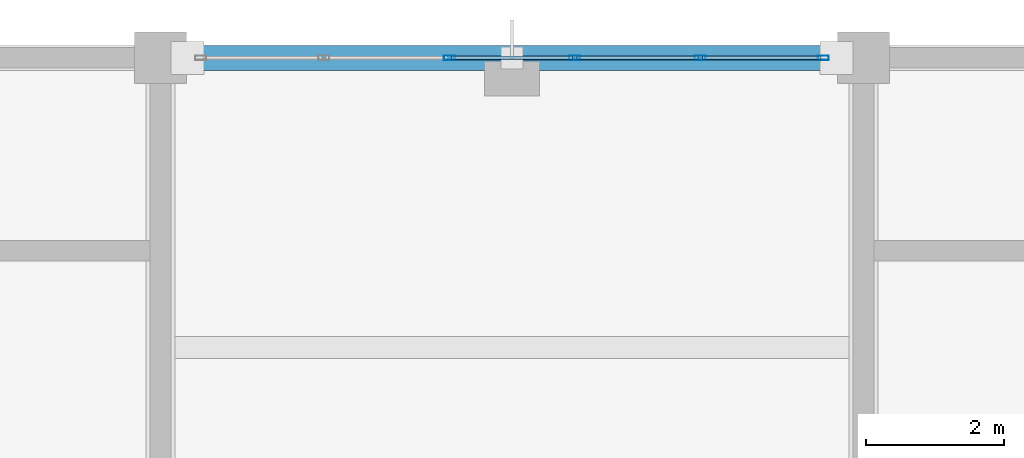
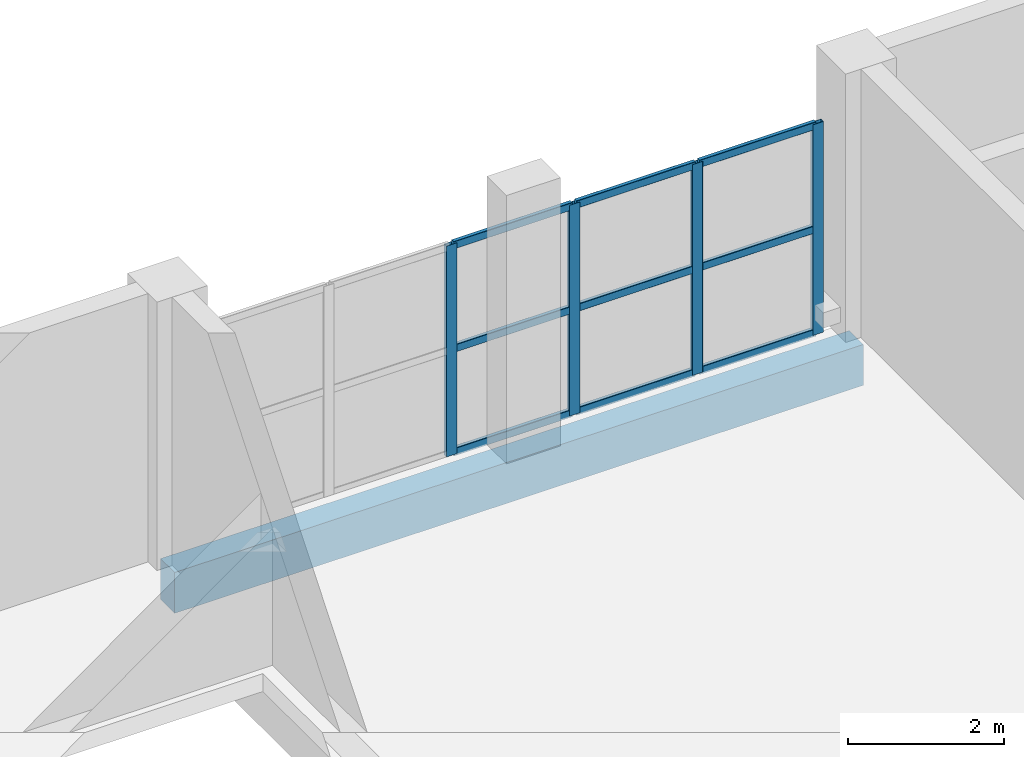
# One storey, part 89 of 157: 13 members, 1 beam, 1 element without a shape of its own.
"""IFC4 building model written with IfcOpenShell, lengths in metres."""

from ifc_helpers import new_model, si_unit, direction, frame, origin, origin_2d, place, context, subcontext, project, spatial, rectangle, hollow_rectangle, extrude, material, material_profile, profile_set, type_object, element, aggregate, save


model = new_model("IFC4")

# Units and contexts
model_context = context("Model", 3, precision=1e-05, world=origin(), true_north=direction((0.0, 1.0)))
body_context = subcontext(model_context, "Body", "Model", "MODEL_VIEW")
ifc_project = project(units=[si_unit("LENGTHUNIT", "METRE"), si_unit("AREAUNIT", "SQUARE_METRE"), si_unit("VOLUMEUNIT", "CUBIC_METRE"), si_unit("PLANEANGLEUNIT", "RADIAN"), si_unit("MASSUNIT", "GRAM", prefix="KILO")], contexts=[model_context])

# Site, building, storey
site_placement = place(None, origin())
site = spatial("IfcSite", under=ifc_project, at=site_placement, CompositionType="ELEMENT")
building_placement = place(site_placement, origin())
building = spatial("IfcBuilding", under=site, at=building_placement, Name="Brelvane Convention Centre", CompositionType="ELEMENT")
storey_placement = place(building_placement, frame((0.0, 0.0, 10.800048828125)))
storey = spatial("IfcBuildingStorey", under=building, at=storey_placement, Name="L02", CompositionType="ELEMENT", Elevation=10.800048828125)

# Curtain wall, members
ifc_material_1 = material(Name="Anodised Aluminium Alloy 6063-T6", Category="aluminium")
curtain_wall_type = type_object("IfcCurtainWallType", Name="Curtain Wall CW-BOUL", PredefinedType="USERDEFINED", material=ifc_material_1)
curtain_wall_placement = place(storey_placement, origin())
curtain_wall = element("IfcCurtainWall", 1, at=curtain_wall_placement, inside=storey, type_object=curtain_wall_type, Name="Curtain Wall CW-BOUL L02-V4N-02", ObjectType="UNITISED", PredefinedType="USERDEFINED")
ifc_material_2 = material(Name="Anodised Aluminium Alloy 6063-T6", Category="aluminium")
ifc_material_profile_1 = material_profile(ifc_material_2, hollow_rectangle(XDim=0.06494140625, YDim=0.159912109375, WallThickness=0.00390625, InnerFilletRadius=0.00390625, OuterFilletRadius=0.008056640625, at=origin_2d()), Name="ALU-M 160x65x4.0")
ifc_profile_set_1 = profile_set([ifc_material_profile_1], Name="Anodised Aluminium Alloy 6063-T6")
member_type_1 = type_object("IfcMemberType", Name="Curtain Mullion CW-M3", PredefinedType="MULLION", material=ifc_profile_set_1)
member_1_placement = place(storey_placement, frame((14.389892578125, 144.0, 0.0), z_axis=(0.0, 0.0, 1.0), x_axis=(0.0, 1.0, 0.0)))
member_1 = element("IfcMember", 2, at=member_1_placement, type_object=member_type_1, Name="CW-BOUL mullion 3", PredefinedType="MULLION", context=body_context, shape_type="SweptSolid", body=[
    extrude(hollow_rectangle(XDim=0.06494140625, YDim=0.159912109375, WallThickness=0.00390625, InnerFilletRadius=0.00390625, OuterFilletRadius=0.008056640625, at=origin_2d()), origin(), (0.0, 0.0, 1.0), 3.300048828125),
])
member_2_placement = place(storey_placement, frame((16.2099609375, 144.0, 0.0), z_axis=(0.0, 0.0, 1.0), x_axis=(0.0, 1.0, 0.0)))
member_2 = element("IfcMember", 3, at=member_2_placement, type_object=member_type_1, Name="CW-BOUL mullion 4", PredefinedType="MULLION", context=body_context, shape_type="SweptSolid", body=[
    extrude(hollow_rectangle(XDim=0.06494140625, YDim=0.159912109375, WallThickness=0.00390625, InnerFilletRadius=0.00390625, OuterFilletRadius=0.008056640625, at=origin_2d()), origin(), (0.0, 0.0, 1.0), 3.300048828125),
])
member_3_placement = place(storey_placement, frame((18.030029296875, 144.0, 0.0), z_axis=(0.0, 0.0, 1.0), x_axis=(0.0, 1.0, 0.0)))
member_3 = element("IfcMember", 4, at=member_3_placement, type_object=member_type_1, Name="CW-BOUL mullion 5", PredefinedType="MULLION", context=body_context, shape_type="SweptSolid", body=[
    extrude(hollow_rectangle(XDim=0.06494140625, YDim=0.159912109375, WallThickness=0.00390625, InnerFilletRadius=0.00390625, OuterFilletRadius=0.008056640625, at=origin_2d()), origin(), (0.0, 0.0, 1.0), 3.300048828125),
])
member_4_placement = place(storey_placement, frame((19.8173828125, 144.0, 0.0), z_axis=(0.0, 0.0, 1.0), x_axis=(0.0, 1.0, 0.0)))
member_4 = element("IfcMember", 5, at=member_4_placement, type_object=member_type_1, Name="CW-BOUL mullion 6", PredefinedType="MULLION", context=body_context, shape_type="SweptSolid", body=[
    extrude(hollow_rectangle(XDim=0.06494140625, YDim=0.159912109375, WallThickness=0.00390625, InnerFilletRadius=0.00390625, OuterFilletRadius=0.008056640625, at=origin_2d()), origin(), (0.0, 0.0, 1.0), 3.300048828125),
])
ifc_material_3 = material(Name="Anodised Aluminium Alloy 6063-T6", Category="aluminium")
ifc_material_profile_2 = material_profile(ifc_material_3, hollow_rectangle(XDim=0.06005859375, YDim=0.1201171875, WallThickness=0.00390625, InnerFilletRadius=0.00390625, OuterFilletRadius=0.008056640625, at=origin_2d()), Name="ALU-T 120x60x4.0")
ifc_profile_set_2 = profile_set([ifc_material_profile_2], Name="Anodised Aluminium Alloy 6063-T6")
member_type_2 = type_object("IfcMemberType", Name="Curtain Transom CW-T3", PredefinedType="USERDEFINED", material=ifc_profile_set_2)
member_5_placement = place(storey_placement, frame((14.422607421875, 144.0, 0.030029296875), z_axis=(1.0, 0.0, 0.0), x_axis=(0.0, 1.0, 0.0)))
member_5 = element("IfcMember", 6, at=member_5_placement, type_object=member_type_2, Name="CW-BOUL transom 3.1", ObjectType="TRANSOM", PredefinedType="USERDEFINED", context=body_context, shape_type="SweptSolid", body=[
    extrude(hollow_rectangle(XDim=0.06005859375, YDim=0.1201171875, WallThickness=0.00390625, InnerFilletRadius=0.00390625, OuterFilletRadius=0.008056640625, at=origin_2d()), origin(), (0.0, 0.0, 1.0), 1.7548828125),
])
member_6_placement = place(storey_placement, frame((14.422607421875, 144.0, 1.64990234375), z_axis=(1.0, 0.0, 0.0), x_axis=(0.0, 1.0, 0.0)))
member_6 = element("IfcMember", 7, at=member_6_placement, type_object=member_type_2, Name="CW-BOUL transom 3.2", ObjectType="TRANSOM", PredefinedType="USERDEFINED", context=body_context, shape_type="SweptSolid", body=[
    extrude(hollow_rectangle(XDim=0.06005859375, YDim=0.1201171875, WallThickness=0.00390625, InnerFilletRadius=0.00390625, OuterFilletRadius=0.008056640625, at=origin_2d()), origin(), (0.0, 0.0, 1.0), 1.7548828125),
])
member_7_placement = place(storey_placement, frame((14.422607421875, 144.0, 3.27001953125), z_axis=(1.0, 0.0, 0.0), x_axis=(0.0, 1.0, 0.0)))
member_7 = element("IfcMember", 8, at=member_7_placement, type_object=member_type_2, Name="CW-BOUL transom 3.3", ObjectType="TRANSOM", PredefinedType="USERDEFINED", context=body_context, shape_type="SweptSolid", body=[
    extrude(hollow_rectangle(XDim=0.06005859375, YDim=0.1201171875, WallThickness=0.00390625, InnerFilletRadius=0.00390625, OuterFilletRadius=0.008056640625, at=origin_2d()), origin(), (0.0, 0.0, 1.0), 1.7548828125),
])
member_8_placement = place(storey_placement, frame((16.242431640625, 144.0, 0.030029296875), z_axis=(1.0, 0.0, 0.0), x_axis=(0.0, 1.0, 0.0)))
member_8 = element("IfcMember", 9, at=member_8_placement, type_object=member_type_2, Name="CW-BOUL transom 4.1", ObjectType="TRANSOM", PredefinedType="USERDEFINED", context=body_context, shape_type="SweptSolid", body=[
    extrude(hollow_rectangle(XDim=0.06005859375, YDim=0.1201171875, WallThickness=0.00390625, InnerFilletRadius=0.00390625, OuterFilletRadius=0.008056640625, at=origin_2d()), origin(), (0.0, 0.0, 1.0), 1.755126953125),
])
member_9_placement = place(storey_placement, frame((16.242431640625, 144.0, 1.64990234375), z_axis=(1.0, 0.0, 0.0), x_axis=(0.0, 1.0, 0.0)))
member_9 = element("IfcMember", 10, at=member_9_placement, type_object=member_type_2, Name="CW-BOUL transom 4.2", ObjectType="TRANSOM", PredefinedType="USERDEFINED", context=body_context, shape_type="SweptSolid", body=[
    extrude(hollow_rectangle(XDim=0.06005859375, YDim=0.1201171875, WallThickness=0.00390625, InnerFilletRadius=0.00390625, OuterFilletRadius=0.008056640625, at=origin_2d()), origin(), (0.0, 0.0, 1.0), 1.755126953125),
])
member_10_placement = place(storey_placement, frame((16.242431640625, 144.0, 3.27001953125), z_axis=(1.0, 0.0, 0.0), x_axis=(0.0, 1.0, 0.0)))
member_10 = element("IfcMember", 11, at=member_10_placement, type_object=member_type_2, Name="CW-BOUL transom 4.3", ObjectType="TRANSOM", PredefinedType="USERDEFINED", context=body_context, shape_type="SweptSolid", body=[
    extrude(hollow_rectangle(XDim=0.06005859375, YDim=0.1201171875, WallThickness=0.00390625, InnerFilletRadius=0.00390625, OuterFilletRadius=0.008056640625, at=origin_2d()), origin(), (0.0, 0.0, 1.0), 1.755126953125),
])
member_11_placement = place(storey_placement, frame((18.0625, 144.0, 0.030029296875), z_axis=(1.0, 0.0, 0.0), x_axis=(0.0, 1.0, 0.0)))
member_11 = element("IfcMember", 12, at=member_11_placement, type_object=member_type_2, Name="CW-BOUL transom 5.1", ObjectType="TRANSOM", PredefinedType="USERDEFINED", context=body_context, shape_type="SweptSolid", body=[
    extrude(hollow_rectangle(XDim=0.06005859375, YDim=0.1201171875, WallThickness=0.00390625, InnerFilletRadius=0.00390625, OuterFilletRadius=0.008056640625, at=origin_2d()), origin(), (0.0, 0.0, 1.0), 1.722412109375),
])
member_12_placement = place(storey_placement, frame((18.0625, 144.0, 1.64990234375), z_axis=(1.0, 0.0, 0.0), x_axis=(0.0, 1.0, 0.0)))
member_12 = element("IfcMember", 13, at=member_12_placement, type_object=member_type_2, Name="CW-BOUL transom 5.2", ObjectType="TRANSOM", PredefinedType="USERDEFINED", context=body_context, shape_type="SweptSolid", body=[
    extrude(hollow_rectangle(XDim=0.06005859375, YDim=0.1201171875, WallThickness=0.00390625, InnerFilletRadius=0.00390625, OuterFilletRadius=0.008056640625, at=origin_2d()), origin(), (0.0, 0.0, 1.0), 1.722412109375),
])
member_13_placement = place(storey_placement, frame((18.0625, 144.0, 3.27001953125), z_axis=(1.0, 0.0, 0.0), x_axis=(0.0, 1.0, 0.0)))
member_13 = element("IfcMember", 14, at=member_13_placement, type_object=member_type_2, Name="CW-BOUL transom 5.3", ObjectType="TRANSOM", PredefinedType="USERDEFINED", context=body_context, shape_type="SweptSolid", body=[
    extrude(hollow_rectangle(XDim=0.06005859375, YDim=0.1201171875, WallThickness=0.00390625, InnerFilletRadius=0.00390625, OuterFilletRadius=0.008056640625, at=origin_2d()), origin(), (0.0, 0.0, 1.0), 1.722412109375),
])
aggregate(curtain_wall, [member_1, member_2, member_3, member_4, member_5, member_6, member_7, member_8, member_9, member_10, member_11, member_12, member_13])

# Beam
ifc_material_4 = material(Name="Concrete M40", Category="concrete")
ifc_material_profile_3 = material_profile(ifc_material_4, rectangle(XDim=0.360107421875, YDim=0.639892578125, at=origin_2d()), Name="RC 360x640")
ifc_profile_set_3 = profile_set([ifc_material_profile_3], Name="Concrete M40")
beam_type = type_object("IfcBeamType", Name="RC Spandrel SP-RC3 (RC 360x640)", PredefinedType="SPANDREL", material=ifc_profile_set_3)
beam_placement = place(storey_placement, frame((10.199951171875, 144.0, -0.60009765625), z_axis=(1.0, 0.0, 0.0), x_axis=(0.0, 1.0, 0.0)))
element("IfcBeam", 15, at=beam_placement, inside=storey, type_object=beam_type, Name="L02 Beam 2-3/Q", PredefinedType="SPANDREL", context=body_context, shape_type="SweptSolid", body=[
    extrude(rectangle(XDim=0.360107421875, YDim=0.639892578125, at=origin_2d()), origin(), (0.0, 0.0, 1.0), 10.199951171875),
])

save(model, "model.ifc")
